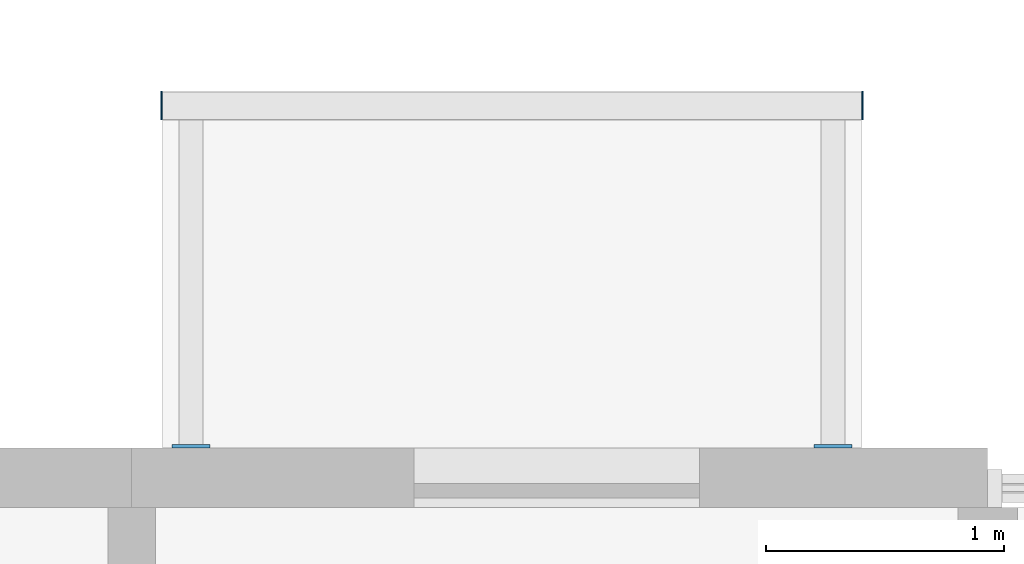
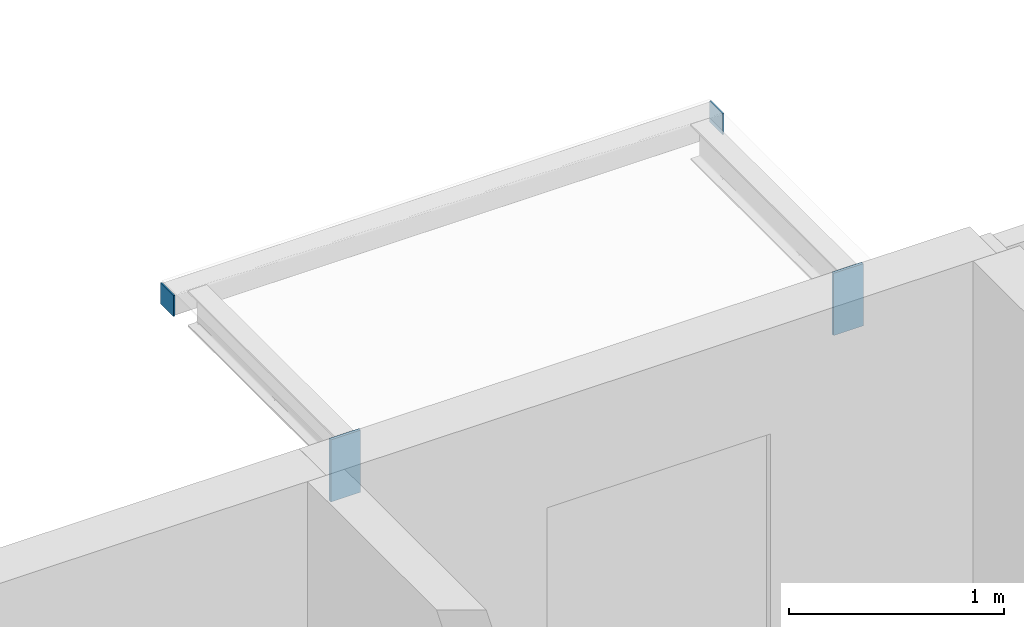
# One storey, part 41 of 55: 4 discrete accessories.
"""IFC4 building model written with IfcOpenShell, lengths in metres."""

from ifc_helpers import new_model, si_unit, direction, frame, origin, origin_2d, place, context, subcontext, project, spatial, rectangle, extrude, material, layer, layer_set, type_object, element, save


model = new_model("IFC4")

# Units and contexts
model_context = context("Model", 3, precision=1e-05, world=origin(), true_north=direction((0.0, 1.0)))
body_context = subcontext(model_context, "Body", "Model", "MODEL_VIEW")
ifc_project = project(units=[si_unit("LENGTHUNIT", "METRE"), si_unit("AREAUNIT", "SQUARE_METRE"), si_unit("VOLUMEUNIT", "CUBIC_METRE"), si_unit("PLANEANGLEUNIT", "RADIAN"), si_unit("MASSUNIT", "GRAM", prefix="KILO")], contexts=[model_context])

# Site, building, storey
site_placement = place(None, origin())
site = spatial("IfcSite", under=ifc_project, at=site_placement, CompositionType="ELEMENT")
building_placement = place(site_placement, origin())
building = spatial("IfcBuilding", under=site, at=building_placement, Name="Ridgestep Commons", CompositionType="ELEMENT")
storey_placement = place(building_placement, frame((0.0, 0.0, 36.0)))
storey = spatial("IfcBuildingStorey", under=building, at=storey_placement, Name="L12", CompositionType="ELEMENT", Elevation=36.0)

# Discrete accessories
ifc_material_1 = material(Name="Weathering steel S355J2W", Category="steel")
ifc_layer_1 = layer(ifc_material_1, 0.014892578125)
ifc_layer_set_1 = layer_set([ifc_layer_1], Name="Tray bracket plate 15")
discrete_accessory_type_1 = type_object("IfcDiscreteAccessoryType", Name="Tray bracket plate 15", PredefinedType="BRACKET", material=ifc_layer_set_1)
for number, where, z_axis, x_axis, name in (
    (1, (19.449951171875, 23.007568359375, 2.63671875), (0.0, 0.0, 1.0), (1.0, 0.0, 0.0), "Tray bracket A1T3-13.1"),
    (2, (22.14990234375, 23.007568359375, 2.63671875), (0.0, 0.0, 1.0), (1.0, 0.0, 0.0), "Tray bracket A1T3-13.2"),
):
    element("IfcDiscreteAccessory", number, at=place(storey_placement, frame(where, z_axis=z_axis, x_axis=x_axis)), inside=storey, type_object=discrete_accessory_type_1, Name=name, PredefinedType="BRACKET", context=body_context, shape_type="SweptSolid", body=[
        extrude(rectangle(XDim=0.159912109375, YDim=0.014892578125, at=origin_2d()), origin(), (0.0, 0.0, 1.0), 0.353271484375),
    ])
ifc_material_2 = material(Name="Weathering steel S355J2W", Category="steel")
ifc_layer_2 = layer(ifc_material_2, 0.008056640625)
ifc_layer_set_2 = layer_set([ifc_layer_2], Name="Tray edge member end plate 120 x 120 x 8")
discrete_accessory_type_2 = type_object("IfcDiscreteAccessoryType", Name="Tray edge member end plate 120 x 120 x 8", PredefinedType="BRACKET", material=ifc_layer_set_2)
for number, where, z_axis, x_axis, name in (
    (3, (19.325927734375, 24.43994140625, 2.869873046875), (0.0, 0.0, 1.0), (1.0, 0.0, 0.0), "Tray edge member end plate A1T3-13 west"),
    (4, (22.27392578125, 24.43994140625, 2.869873046875), (0.0, 0.0, 1.0), (1.0, 0.0, 0.0), "Tray edge member end plate A1T3-13 east"),
):
    element("IfcDiscreteAccessory", number, at=place(storey_placement, frame(where, z_axis=z_axis, x_axis=x_axis)), inside=storey, type_object=discrete_accessory_type_2, Name=name, PredefinedType="BRACKET", context=body_context, shape_type="SweptSolid", body=[
        extrude(rectangle(XDim=0.008056640625, YDim=0.1201171875, at=origin_2d()), origin(), (0.0, 0.0, 1.0), 0.1201171875),
    ])

save(model, "model.ifc")
